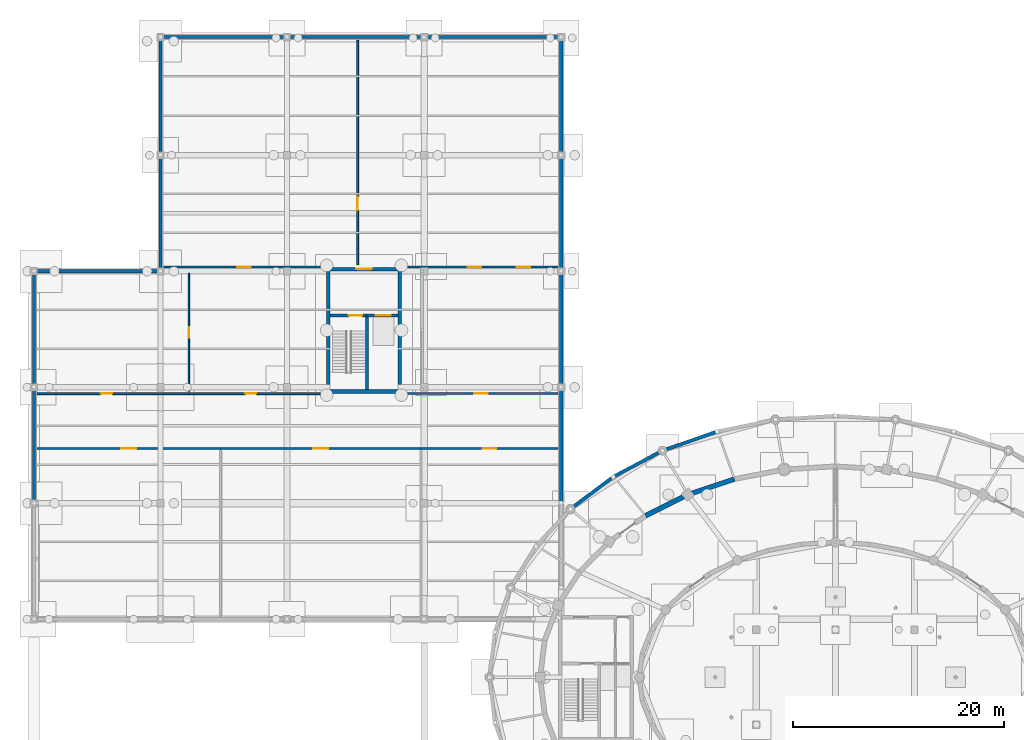
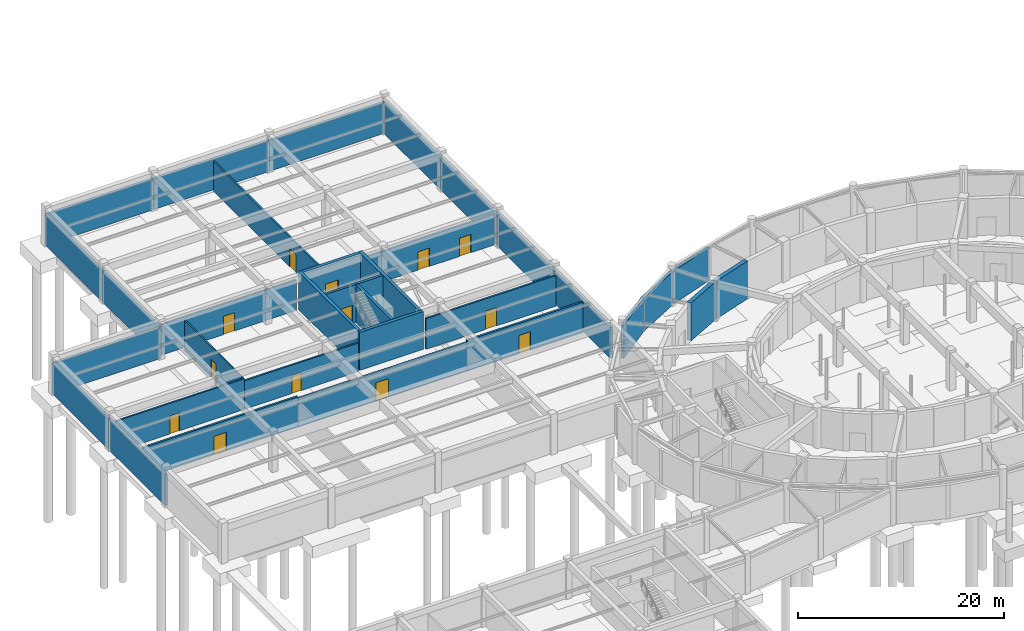
# One storey, part 23 of 42: 34 walls, 14 doors, 14 openings.
"""IFC4 building model written with IfcOpenShell, lengths in metres."""

from ifc_helpers import new_model, si_unit, direction, frame, frame_2d, origin, place, context, subcontext, project, spatial, rectangle, extrude, material, layer, layer_set, type_object, element, fill, save


model = new_model("IFC4")

# Units and contexts
model_context = context("Model", 3, precision=1e-05, world=origin(), true_north=direction((0.0, 1.0)))
body_context = subcontext(model_context, "Body", "Model", "MODEL_VIEW")
ifc_project = project(units=[si_unit("LENGTHUNIT", "METRE"), si_unit("AREAUNIT", "SQUARE_METRE"), si_unit("VOLUMEUNIT", "CUBIC_METRE"), si_unit("PLANEANGLEUNIT", "RADIAN"), si_unit("MASSUNIT", "GRAM", prefix="KILO")], contexts=[model_context])

# Site, building, storey
site_placement = place(None, origin())
site = spatial("IfcSite", under=ifc_project, at=site_placement, CompositionType="ELEMENT")
building_placement = place(site_placement, origin())
building = spatial("IfcBuilding", under=site, at=building_placement, Name="Tarnveldt Headland Concert Hall", CompositionType="ELEMENT")
storey_placement = place(building_placement, frame((0.0, 0.0, -4.800048828125)))
storey = spatial("IfcBuildingStorey", under=building, at=storey_placement, Name="B1", CompositionType="ELEMENT", Elevation=-4.800048828125)

# Wall
ifc_material_1 = material(Name="Concrete C40/50", Category="concrete")
ifc_layer_1 = layer(ifc_material_1, 0.35009765625, Name="Concrete C40/50", Category="concrete")
ifc_layer_set_1 = layer_set([ifc_layer_1], Name="Concrete C40/50")
wall_type_1 = type_object("IfcWallType", Name="WL-CR350", PredefinedType="SHEAR", material=ifc_layer_set_1)
wall_1_placement = place(storey_placement, frame((35.22509765625, 81.60009765625, 0.0), z_axis=(0.0, 0.0, 1.0), x_axis=(1.0, 0.0, 0.0)))
element("IfcWall", 1, at=wall_1_placement, inside=storey, type_object=wall_type_1, Name="Core C6 south shear wall B1", PredefinedType="SHEAR", context=body_context, shape_type="SweptSolid", body=[
    extrude(rectangle(XDim=7.14990234375, YDim=0.35009765625, at=frame_2d((3.574951171875, 0.0))), origin(), (0.0, 0.0, 1.0), 4.5),
])

# Wall, opening, door
wall_2_placement = place(storey_placement, frame((35.574951171875, 93.199951171875, 0.0), z_axis=(0.0, 0.0, 1.0), x_axis=(1.0, 0.0, 0.0)))
wall_2 = element("IfcWall", 2, at=wall_2_placement, inside=storey, type_object=wall_type_1, Name="Core C6 north shear wall B1", PredefinedType="SHEAR", context=body_context, shape_type="SweptSolid", body=[
    extrude(rectangle(XDim=6.449951171875, YDim=0.35009765625, at=frame_2d((3.22509765625, 0.0))), origin(), (0.0, 0.0, 1.0), 4.5),
])
opening_1_placement = place(wall_2_placement, frame((2.5, 0.0, 0.0)))
opening_1 = element("IfcOpeningElement", 3, at=opening_1_placement, cuts=wall_2, Name="Opening LBD-C6-B1", PredefinedType="OPENING", context=body_context, shape_type="SweptSolid", body=[
    extrude(rectangle(XDim=1.449951171875, YDim=2.199951171875, at=frame_2d((0.72509765625, 1.10009765625))), frame((0.0, 0.18505859375, 0.0), z_axis=(0.0, -1.0, 0.0), x_axis=(1.0, 0.0, 0.0)), (0.0, 0.0, 1.0), 0.3701171875),
])
ifc_material_2 = material(Name="Galvanised painted steel sheet", Category="steel")
door_type_1 = type_object("IfcDoorType", Name="DR-LB145", OperationType="NOTDEFINED", PredefinedType="DOOR", material=ifc_material_2)
door_1_placement = place(opening_1_placement, origin())
door_1 = element("IfcDoor", 4, at=door_1_placement, inside=storey, type_object=door_type_1, Name="Core C6 lobby entrance door B1", OperationType="SINGLE_SWING_RIGHT", OverallHeight=2.199951171875, OverallWidth=1.449951171875, PredefinedType="DOOR", context=body_context, shape_type="SweptSolid", body=[
    extrude(rectangle(XDim=1.449951171875, YDim=2.199951171875, at=frame_2d((0.72509765625, 1.10009765625))), frame((0.0, 0.02490234375, 0.0), z_axis=(0.0, -1.0, 0.0), x_axis=(1.0, 0.0, 0.0)), (0.0, 0.0, 1.0), 0.050048828125),
])
fill(opening_1, door_1)

# Walls
for number, where, z_axis, x_axis, name in (
    (5, (35.39990234375, 81.77490234375, 0.0), (0.0, 0.0, 1.0), (0.0, 1.0, 0.0), "Core C6 west shear wall B1"),
    (6, (42.199951171875, 81.77490234375, 0.0), (0.0, 0.0, 1.0), (0.0, 1.0, 0.0), "Core C6 east shear wall B1"),
):
    element("IfcWall", number, at=place(storey_placement, frame(where, z_axis=z_axis, x_axis=x_axis)), inside=storey, type_object=wall_type_1, Name=name, PredefinedType="SHEAR", context=body_context, shape_type="SweptSolid", body=[
        extrude(rectangle(XDim=11.60009765625, YDim=0.35009765625, at=frame_2d((5.800048828125, 0.0))), origin(), (0.0, 0.0, 1.0), 4.5),
    ])
ifc_material_3 = material(Name="Coral-toned precast concrete C40/50", Category="concrete")
ifc_layer_2 = layer(ifc_material_3, 0.300048828125, Name="Coral-toned precast concrete C40/50", Category="concrete")
ifc_layer_set_2 = layer_set([ifc_layer_2], Name="Coral-toned precast concrete C40/50")
wall_type_2 = type_object("IfcWallType", Name="WL-EX300", PredefinedType="SOLIDWALL", material=ifc_layer_set_2)
for number, where, z_axis, x_axis, name in (
    (7, (57.5, 81.97998046875, 0.0), (0.0, 0.0, 1.0), (0.0, -1.0, 0.0), "External precast wall B1-251"),
    (8, (57.5, 92.97998046875, 0.0), (0.0, 0.0, 1.0), (0.0, -1.0, 0.0), "External precast wall B1-252"),
    (9, (57.5, 103.97998046875, 0.0), (0.0, 0.0, 1.0), (0.0, -1.0, 0.0), "External precast wall B1-253"),
):
    element("IfcWall", number, at=place(storey_placement, frame(where, z_axis=z_axis, x_axis=x_axis)), inside=storey, type_object=wall_type_2, Name=name, PredefinedType="SOLIDWALL", context=body_context, shape_type="SweptSolid", body=[
        extrude(rectangle(XDim=10.9599609375, YDim=0.300048828125, at=frame_2d((5.47998046875, 0.0))), origin(), (0.0, 0.0, 1.0), 3.637939453125),
    ])
wall_3_placement = place(storey_placement, frame((57.5, 115.179931640625, 0.0), z_axis=(0.0, 0.0, 1.0), x_axis=(0.0, -1.0, 0.0)))
element("IfcWall", 10, at=wall_3_placement, inside=storey, type_object=wall_type_2, Name="External precast wall B1-254", PredefinedType="SOLIDWALL", context=body_context, shape_type="SweptSolid", body=[
    extrude(rectangle(XDim=11.159912109375, YDim=0.300048828125, at=frame_2d((5.580078125, 0.0))), origin(), (0.0, 0.0, 1.0), 3.637939453125),
])
for number, where, z_axis, x_axis, name in (
    (11, (44.52001953125, 115.199951171875, 0.0), (0.0, 0.0, 1.0), (1.0, 0.0, 0.0), "External precast wall B1-255"),
    (12, (31.52001953125, 115.199951171875, 0.0), (0.0, 0.0, 1.0), (1.0, 0.0, 0.0), "External precast wall B1-256"),
):
    element("IfcWall", number, at=place(storey_placement, frame(where, z_axis=z_axis, x_axis=x_axis)), inside=storey, type_object=wall_type_2, Name=name, PredefinedType="SOLIDWALL", context=body_context, shape_type="SweptSolid", body=[
        extrude(rectangle(XDim=12.9599609375, YDim=0.300048828125, at=frame_2d((6.47998046875, 0.0))), origin(), (0.0, 0.0, 1.0), 3.637939453125),
    ])
wall_4_placement = place(storey_placement, frame((19.52001953125, 115.199951171875, 0.0), z_axis=(0.0, 0.0, 1.0), x_axis=(1.0, 0.0, 0.0)))
element("IfcWall", 13, at=wall_4_placement, inside=storey, type_object=wall_type_2, Name="External precast wall B1-257", PredefinedType="SOLIDWALL", context=body_context, shape_type="SweptSolid", body=[
    extrude(rectangle(XDim=11.9599609375, YDim=0.300048828125, at=frame_2d((5.97998046875, 0.0))), origin(), (0.0, 0.0, 1.0), 3.637939453125),
])
wall_5_placement = place(storey_placement, frame((19.5, 104.02001953125, 0.0), z_axis=(0.0, 0.0, 1.0), x_axis=(0.0, 1.0, 0.0)))
element("IfcWall", 14, at=wall_5_placement, inside=storey, type_object=wall_type_2, Name="External precast wall B1-258", PredefinedType="SOLIDWALL", context=body_context, shape_type="SweptSolid", body=[
    extrude(rectangle(XDim=11.159912109375, YDim=0.300048828125, at=frame_2d((5.580078125, 0.0))), origin(), (0.0, 0.0, 1.0), 3.637939453125),
])
wall_6_placement = place(storey_placement, frame((19.5, 93.02001953125, 0.0), z_axis=(0.0, 0.0, 1.0), x_axis=(0.0, 1.0, 0.0)))
element("IfcWall", 15, at=wall_6_placement, inside=storey, type_object=wall_type_2, Name="External precast wall B1-259", PredefinedType="SOLIDWALL", context=body_context, shape_type="SweptSolid", body=[
    extrude(rectangle(XDim=10.9599609375, YDim=0.300048828125, at=frame_2d((5.47998046875, 0.0))), origin(), (0.0, 0.0, 1.0), 3.637939453125),
])
wall_7_placement = place(storey_placement, frame((7.52001953125, 93.0, 0.0), z_axis=(0.0, 0.0, 1.0), x_axis=(1.0, 0.0, 0.0)))
element("IfcWall", 16, at=wall_7_placement, inside=storey, type_object=wall_type_2, Name="External precast wall B1-260", PredefinedType="SOLIDWALL", context=body_context, shape_type="SweptSolid", body=[
    extrude(rectangle(XDim=11.9599609375, YDim=0.300048828125, at=frame_2d((5.97998046875, 0.0))), origin(), (0.0, 0.0, 1.0), 3.637939453125),
])
for number, where, z_axis, x_axis, name in (
    (17, (7.5, 82.02001953125, 0.0), (0.0, 0.0, 1.0), (0.0, 1.0, 0.0), "External precast wall B1-261"),
    (18, (7.5, 71.02001953125, 0.0), (0.0, 0.0, 1.0), (0.0, 1.0, 0.0), "External precast wall B1-262"),
):
    element("IfcWall", number, at=place(storey_placement, frame(where, z_axis=z_axis, x_axis=x_axis)), inside=storey, type_object=wall_type_2, Name=name, PredefinedType="SOLIDWALL", context=body_context, shape_type="SweptSolid", body=[
        extrude(rectangle(XDim=10.9599609375, YDim=0.300048828125, at=frame_2d((5.47998046875, 0.0))), origin(), (0.0, 0.0, 1.0), 3.637939453125),
    ])
ifc_layer_3 = layer(ifc_material_3, 0.324951171875, Name="Coral-toned precast concrete C40/50", Category="concrete")
ifc_layer_set_3 = layer_set([ifc_layer_3], Name="Coral-toned precast concrete C40/50")
wall_type_3 = type_object("IfcWallType", Name="WL-EX325", PredefinedType="SOLIDWALL", material=ifc_layer_set_3)
wall_8_placement = place(storey_placement, frame((67.118896484375, 75.984130859375, 0.0), z_axis=(0.0, 0.0, 1.0), x_axis=(0.943104319689, 0.332496980713, 0.0)))
element("IfcWall", 19, at=wall_8_placement, inside=storey, type_object=wall_type_3, Name="External precast wall B1-12", PredefinedType="SOLIDWALL", context=body_context, shape_type="SweptSolid", body=[
    extrude(rectangle(XDim=5.4541015625, YDim=0.324951171875, at=frame_2d((2.72705078125, 0.0))), origin(), (0.0, 0.0, 1.0), 3.949951171875),
])
wall_9_placement = place(storey_placement, frame((62.434326171875, 73.50732421875, 0.0), z_axis=(0.0, 0.0, 1.0), x_axis=(0.883786787155, 0.467889853332, 0.0)))
element("IfcWall", 20, at=wall_9_placement, inside=storey, type_object=wall_type_3, Name="External precast wall B1-13", PredefinedType="SOLIDWALL", context=body_context, shape_type="SweptSolid", body=[
    extrude(rectangle(XDim=5.259033203125, YDim=0.324951171875, at=frame_2d((2.62939453125, 0.0))), origin(), (0.0, 0.0, 1.0), 3.949951171875),
])
wall_10_placement = place(storey_placement, frame((58.3896484375, 70.453125, 0.0), z_axis=(0.0, 0.0, 1.0), x_axis=(0.797657622226, 0.60311053523, 0.0)))
element("IfcWall", 21, at=wall_10_placement, inside=storey, type_object=wall_type_3, Name="External precast wall B1-14", PredefinedType="SOLIDWALL", context=body_context, shape_type="SweptSolid", body=[
    extrude(rectangle(XDim=5.028564453125, YDim=0.324951171875, at=frame_2d((2.51416015625, 0.0))), origin(), (0.0, 0.0, 1.0), 3.949951171875),
])

# Wall, opening, door
ifc_material_4 = material(Name="Acoustic multi-layer gypsum and mineral-wool partition", Category="gypsum")
ifc_layer_4 = layer(ifc_material_4, 0.14990234375, Name="Acoustic multi-layer gypsum and mineral-wool partition", Category="gypsum")
ifc_layer_set_4 = layer_set([ifc_layer_4], Name="Acoustic multi-layer gypsum and mineral-wool partition")
wall_type_4 = type_object("IfcWallType", Name="WL-PT150", PredefinedType="PARTITIONING", material=ifc_layer_set_4)
wall_11_placement = place(storey_placement, frame((22.199951171875, 81.60009765625, 0.0), z_axis=(0.0, 0.0, 1.0), x_axis=(0.0, 1.0, 0.0)))
wall_11 = element("IfcWall", 22, at=wall_11_placement, inside=storey, type_object=wall_type_4, Name="Interior acoustic partition B1-55", PredefinedType="PARTITIONING", context=body_context, shape_type="SweptSolid", body=[
    extrude(rectangle(XDim=11.199951171875, YDim=0.14990234375, at=frame_2d((5.60009765625, 0.0))), origin(), (0.0, 0.0, 1.0), 3.64013671875),
])
opening_2_placement = place(wall_11_placement, frame((5.10009765625, 0.0, 0.0)))
opening_2 = element("IfcOpeningElement", 23, at=opening_2_placement, cuts=wall_11, Name="Opening D-B1-081", PredefinedType="OPENING", context=body_context, shape_type="SweptSolid", body=[
    extrude(rectangle(XDim=1.0, YDim=2.1201171875, at=frame_2d((0.5, 1.06005859375))), frame((0.0, 0.0849609375, 0.0), z_axis=(0.0, -1.0, 0.0), x_axis=(1.0, 0.0, 0.0)), (0.0, 0.0, 1.0), 0.169921875),
])
ifc_material_5 = material(Name="Treated East African mvule hardwood", Category="wood")
door_type_2 = type_object("IfcDoorType", Name="DR-RM100", OperationType="NOTDEFINED", PredefinedType="DOOR", material=ifc_material_5)
door_2_placement = place(opening_2_placement, origin())
door_2 = element("IfcDoor", 24, at=door_2_placement, inside=storey, type_object=door_type_2, Name="Interior room door B1-81", OperationType="SINGLE_SWING_LEFT", OverallHeight=2.1201171875, OverallWidth=1.0, PredefinedType="DOOR", context=body_context, shape_type="SweptSolid", body=[
    extrude(rectangle(XDim=1.0, YDim=2.1201171875, at=frame_2d((0.5, 1.06005859375))), frame((0.0, 0.02490234375, 0.0), z_axis=(0.0, -1.0, 0.0), x_axis=(1.0, 0.0, 0.0)), (0.0, 0.0, 1.0), 0.050048828125),
])
fill(opening_2, door_2)

ifc_layer_5 = layer(ifc_material_4, 0.18505859375, Name="Acoustic multi-layer gypsum and mineral-wool partition", Category="gypsum")
ifc_layer_set_5 = layer_set([ifc_layer_5], Name="Acoustic multi-layer gypsum and mineral-wool partition")
wall_type_5 = type_object("IfcWallType", Name="WL-PT185", PredefinedType="PARTITIONING", material=ifc_layer_set_5)
wall_12_placement = place(storey_placement, frame((7.800048828125, 81.39990234375, 0.0), z_axis=(0.0, 0.0, 1.0), x_axis=(1.0, 0.0, 0.0)))
wall_12 = element("IfcWall", 25, at=wall_12_placement, inside=storey, type_object=wall_type_5, Name="Interior acoustic partition B1-52", PredefinedType="PARTITIONING", context=body_context, shape_type="SweptSolid", body=[
    extrude(rectangle(XDim=14.39990234375, YDim=0.18505859375, at=frame_2d((7.199951171875, 0.0))), origin(), (0.0, 0.0, 1.0), 3.64013671875),
])
opening_3_placement = place(wall_12_placement, frame((6.02099609375, 0.0, 0.0)))
opening_3 = element("IfcOpeningElement", 26, at=opening_3_placement, cuts=wall_12, Name="Opening D-B1-078", PredefinedType="OPENING", context=body_context, shape_type="SweptSolid", body=[
    extrude(rectangle(XDim=1.10009765625, YDim=2.14990234375, at=frame_2d((0.550048828125, 1.074951171875))), frame((0.0, 0.1025390625, 0.0), z_axis=(0.0, -1.0, 0.0), x_axis=(1.0, 0.0, 0.0)), (0.0, 0.0, 1.0), 0.205078125),
])
door_type_3 = type_object("IfcDoorType", Name="DR-RM110", OperationType="NOTDEFINED", PredefinedType="DOOR", material=ifc_material_5)
door_3_placement = place(opening_3_placement, origin())
door_3 = element("IfcDoor", 27, at=door_3_placement, inside=storey, type_object=door_type_3, Name="Interior room door B1-78", OperationType="SINGLE_SWING_RIGHT", OverallHeight=2.14990234375, OverallWidth=1.10009765625, PredefinedType="DOOR", context=body_context, shape_type="SweptSolid", body=[
    extrude(rectangle(XDim=1.10009765625, YDim=2.14990234375, at=frame_2d((0.550048828125, 1.074951171875))), frame((0.0, 0.02490234375, 0.0), z_axis=(0.0, -1.0, 0.0), x_axis=(1.0, 0.0, 0.0)), (0.0, 0.0, 1.0), 0.050048828125),
])
fill(opening_3, door_3)

wall_13_placement = place(storey_placement, frame((22.199951171875, 81.39990234375, 0.0), z_axis=(0.0, 0.0, 1.0), x_axis=(1.0, 0.0, 0.0)))
wall_13 = element("IfcWall", 28, at=wall_13_placement, inside=storey, type_object=wall_type_5, Name="Interior acoustic partition B1-53", PredefinedType="PARTITIONING", context=body_context, shape_type="SweptSolid", body=[
    extrude(rectangle(XDim=12.800048828125, YDim=0.18505859375, at=frame_2d((6.39990234375, 0.0))), origin(), (0.0, 0.0, 1.0), 3.39013671875),
])
opening_4_placement = place(wall_13_placement, frame((5.323486328125, 0.0, 0.0)))
opening_4 = element("IfcOpeningElement", 29, at=opening_4_placement, cuts=wall_13, Name="Opening D-B1-079", PredefinedType="OPENING", context=body_context, shape_type="SweptSolid", body=[
    extrude(rectangle(XDim=1.050048828125, YDim=2.14990234375, at=frame_2d((0.52490234375, 1.074951171875))), frame((0.0, 0.1025390625, 0.0), z_axis=(0.0, -1.0, 0.0), x_axis=(1.0, 0.0, 0.0)), (0.0, 0.0, 1.0), 0.205078125),
])
door_type_4 = type_object("IfcDoorType", Name="DR-RM105", OperationType="NOTDEFINED", PredefinedType="DOOR", material=ifc_material_5)
door_4_placement = place(opening_4_placement, origin())
door_4 = element("IfcDoor", 30, at=door_4_placement, inside=storey, type_object=door_type_4, Name="Interior room door B1-79", OperationType="SINGLE_SWING_LEFT", OverallHeight=2.14990234375, OverallWidth=1.050048828125, PredefinedType="DOOR", context=body_context, shape_type="SweptSolid", body=[
    extrude(rectangle(XDim=1.050048828125, YDim=2.14990234375, at=frame_2d((0.52490234375, 1.074951171875))), frame((0.0, 0.02490234375, 0.0), z_axis=(0.0, -1.0, 0.0), x_axis=(1.0, 0.0, 0.0)), (0.0, 0.0, 1.0), 0.050048828125),
])
fill(opening_4, door_4)

wall_14_placement = place(storey_placement, frame((38.199951171875, 93.60009765625, 0.0), z_axis=(0.0, 0.0, 1.0), x_axis=(0.0, 1.0, 0.0)))
wall_14 = element("IfcWall", 31, at=wall_14_placement, inside=storey, type_object=wall_type_5, Name="Interior acoustic partition B1-58", PredefinedType="PARTITIONING", context=body_context, shape_type="SweptSolid", body=[
    extrude(rectangle(XDim=21.2998046875, YDim=0.18505859375, at=frame_2d((10.64990234375, 0.0))), origin(), (0.0, 0.0, 1.0), 3.5400390625),
])
opening_5_placement = place(wall_14_placement, frame((5.18505859375, 0.0, 0.0)))
opening_5 = element("IfcOpeningElement", 32, at=opening_5_placement, cuts=wall_14, Name="Opening D-B1-085", PredefinedType="OPENING", context=body_context, shape_type="SweptSolid", body=[
    extrude(rectangle(XDim=1.280029296875, YDim=2.179931640625, at=frame_2d((0.64013671875, 1.08984375))), frame((0.0, 0.1025390625, 0.0), z_axis=(0.0, -1.0, 0.0), x_axis=(1.0, 0.0, 0.0)), (0.0, 0.0, 1.0), 0.205078125),
])
door_type_5 = type_object("IfcDoorType", Name="DR-PL128", OperationType="NOTDEFINED", PredefinedType="DOOR", material=ifc_material_2)
door_5_placement = place(opening_5_placement, origin())
door_5 = element("IfcDoor", 33, at=door_5_placement, inside=storey, type_object=door_type_5, Name="Interior room door B1-85", OperationType="SINGLE_SWING_LEFT", OverallHeight=2.179931640625, OverallWidth=1.280029296875, PredefinedType="DOOR", context=body_context, shape_type="SweptSolid", body=[
    extrude(rectangle(XDim=1.280029296875, YDim=2.179931640625, at=frame_2d((0.64013671875, 1.08984375))), frame((0.0, 0.02490234375, 0.0), z_axis=(0.0, -1.0, 0.0), x_axis=(1.0, 0.0, 0.0)), (0.0, 0.0, 1.0), 0.050048828125),
])
fill(opening_5, door_5)

ifc_layer_6 = layer(ifc_material_4, 0.199951171875, Name="Acoustic multi-layer gypsum and mineral-wool partition", Category="gypsum")
ifc_layer_set_6 = layer_set([ifc_layer_6], Name="Acoustic multi-layer gypsum and mineral-wool partition")
wall_type_6 = type_object("IfcWallType", Name="WL-PT200", PredefinedType="PARTITIONING", material=ifc_layer_set_6)
wall_15_placement = place(storey_placement, frame((42.60009765625, 81.39990234375, 0.0), z_axis=(0.0, 0.0, 1.0), x_axis=(1.0, 0.0, 0.0)))
wall_15 = element("IfcWall", 34, at=wall_15_placement, inside=storey, type_object=wall_type_6, Name="Interior acoustic partition B1-54", PredefinedType="PARTITIONING", context=body_context, shape_type="SweptSolid", body=[
    extrude(rectangle(XDim=14.599853515625, YDim=0.199951171875, at=frame_2d((7.2998046875, 0.0))), origin(), (0.0, 0.0, 1.0), 3.64013671875),
])
opening_6_placement = place(wall_15_placement, frame((6.659912109375, 0.0, 0.0)))
opening_6 = element("IfcOpeningElement", 35, at=opening_6_placement, cuts=wall_15, Name="Opening D-B1-080", PredefinedType="OPENING", context=body_context, shape_type="SweptSolid", body=[
    extrude(rectangle(XDim=1.280029296875, YDim=2.179931640625, at=frame_2d((0.64013671875, 1.08984375))), frame((0.0, 0.10986328125, 0.0), z_axis=(0.0, -1.0, 0.0), x_axis=(1.0, 0.0, 0.0)), (0.0, 0.0, 1.0), 0.219970703125),
])
door_6_placement = place(opening_6_placement, origin())
door_6 = element("IfcDoor", 36, at=door_6_placement, inside=storey, type_object=door_type_5, Name="Interior room door B1-80", OperationType="SINGLE_SWING_RIGHT", OverallHeight=2.179931640625, OverallWidth=1.280029296875, PredefinedType="DOOR", context=body_context, shape_type="SweptSolid", body=[
    extrude(rectangle(XDim=1.280029296875, YDim=2.179931640625, at=frame_2d((0.64013671875, 1.08984375))), frame((0.0, 0.02490234375, 0.0), z_axis=(0.0, -1.0, 0.0), x_axis=(1.0, 0.0, 0.0)), (0.0, 0.0, 1.0), 0.050048828125),
])
fill(opening_6, door_6)

# Wall, openings, doors
wall_16_placement = place(storey_placement, frame((42.60009765625, 93.39990234375, 0.0), z_axis=(0.0, 0.0, 1.0), x_axis=(1.0, 0.0, 0.0)))
wall_16 = element("IfcWall", 37, at=wall_16_placement, inside=storey, type_object=wall_type_6, Name="Interior acoustic partition B1-56", PredefinedType="PARTITIONING", context=body_context, shape_type="SweptSolid", body=[
    extrude(rectangle(XDim=14.599853515625, YDim=0.199951171875, at=frame_2d((7.2998046875, 0.0))), origin(), (0.0, 0.0, 1.0), 3.64013671875),
])
opening_7_placement = place(wall_16_placement, frame((6.030029296875, 0.0, 0.0)))
opening_7 = element("IfcOpeningElement", 38, at=opening_7_placement, cuts=wall_16, Name="Opening D-B1-082", PredefinedType="OPENING", context=body_context, shape_type="SweptSolid", body=[
    extrude(rectangle(XDim=1.280029296875, YDim=2.179931640625, at=frame_2d((0.64013671875, 1.08984375))), frame((0.0, 0.10986328125, 0.0), z_axis=(0.0, -1.0, 0.0), x_axis=(1.0, 0.0, 0.0)), (0.0, 0.0, 1.0), 0.219970703125),
])
opening_8_placement = place(wall_16_placement, frame((10.69189453125, 0.0, 0.0)))
opening_8 = element("IfcOpeningElement", 39, at=opening_8_placement, cuts=wall_16, Name="Opening D-B1-083", PredefinedType="OPENING", context=body_context, shape_type="SweptSolid", body=[
    extrude(rectangle(XDim=1.280029296875, YDim=2.179931640625, at=frame_2d((0.64013671875, 1.08984375))), frame((0.0, 0.10986328125, 0.0), z_axis=(0.0, -1.0, 0.0), x_axis=(1.0, 0.0, 0.0)), (0.0, 0.0, 1.0), 0.219970703125),
])
door_7_placement = place(opening_7_placement, origin())
door_7 = element("IfcDoor", 40, at=door_7_placement, inside=storey, type_object=door_type_5, Name="Interior room door B1-82", OperationType="SINGLE_SWING_RIGHT", OverallHeight=2.179931640625, OverallWidth=1.280029296875, PredefinedType="DOOR", context=body_context, shape_type="SweptSolid", body=[
    extrude(rectangle(XDim=1.280029296875, YDim=2.179931640625, at=frame_2d((0.64013671875, 1.08984375))), frame((0.0, 0.02490234375, 0.0), z_axis=(0.0, -1.0, 0.0), x_axis=(1.0, 0.0, 0.0)), (0.0, 0.0, 1.0), 0.050048828125),
])
fill(opening_7, door_7)
door_8_placement = place(opening_8_placement, origin())
door_8 = element("IfcDoor", 41, at=door_8_placement, inside=storey, type_object=door_type_5, Name="Interior room door B1-83", OperationType="SINGLE_SWING_LEFT", OverallHeight=2.179931640625, OverallWidth=1.280029296875, PredefinedType="DOOR", context=body_context, shape_type="SweptSolid", body=[
    extrude(rectangle(XDim=1.280029296875, YDim=2.179931640625, at=frame_2d((0.64013671875, 1.08984375))), frame((0.0, 0.02490234375, 0.0), z_axis=(0.0, -1.0, 0.0), x_axis=(1.0, 0.0, 0.0)), (0.0, 0.0, 1.0), 0.050048828125),
])
fill(opening_8, door_8)

# Wall, opening, door
wall_17_placement = place(storey_placement, frame((19.800048828125, 93.39990234375, 0.0), z_axis=(0.0, 0.0, 1.0), x_axis=(1.0, 0.0, 0.0)))
wall_17 = element("IfcWall", 42, at=wall_17_placement, inside=storey, type_object=wall_type_6, Name="Interior acoustic partition B1-57", PredefinedType="PARTITIONING", context=body_context, shape_type="SweptSolid", body=[
    extrude(rectangle(XDim=15.199951171875, YDim=0.199951171875, at=frame_2d((7.60009765625, 0.0))), origin(), (0.0, 0.0, 1.0), 3.64013671875),
])
opening_9_placement = place(wall_17_placement, frame((6.9599609375, 0.0, 0.0)))
opening_9 = element("IfcOpeningElement", 43, at=opening_9_placement, cuts=wall_17, Name="Opening D-B1-084", PredefinedType="OPENING", context=body_context, shape_type="SweptSolid", body=[
    extrude(rectangle(XDim=1.280029296875, YDim=2.179931640625, at=frame_2d((0.64013671875, 1.08984375))), frame((0.0, 0.10986328125, 0.0), z_axis=(0.0, -1.0, 0.0), x_axis=(1.0, 0.0, 0.0)), (0.0, 0.0, 1.0), 0.219970703125),
])
door_9_placement = place(opening_9_placement, origin())
door_9 = element("IfcDoor", 44, at=door_9_placement, inside=storey, type_object=door_type_5, Name="Interior room door B1-84", OperationType="SINGLE_SWING_RIGHT", OverallHeight=2.179931640625, OverallWidth=1.280029296875, PredefinedType="DOOR", context=body_context, shape_type="SweptSolid", body=[
    extrude(rectangle(XDim=1.280029296875, YDim=2.179931640625, at=frame_2d((0.64013671875, 1.08984375))), frame((0.0, 0.02490234375, 0.0), z_axis=(0.0, -1.0, 0.0), x_axis=(1.0, 0.0, 0.0)), (0.0, 0.0, 1.0), 0.050048828125),
])
fill(opening_9, door_9)

ifc_layer_7 = layer(ifc_material_4, 0.215087890625, Name="Acoustic multi-layer gypsum and mineral-wool partition", Category="gypsum")
ifc_layer_set_7 = layer_set([ifc_layer_7], Name="Acoustic multi-layer gypsum and mineral-wool partition")
wall_type_7 = type_object("IfcWallType", Name="WL-PT215", PredefinedType="PARTITIONING", material=ifc_layer_set_7)
wall_18_placement = place(storey_placement, frame((7.800048828125, 76.199951171875, 0.0), z_axis=(0.0, 0.0, 1.0), x_axis=(1.0, 0.0, 0.0)))
wall_18 = element("IfcWall", 45, at=wall_18_placement, inside=storey, type_object=wall_type_7, Name="Interior acoustic partition B1-47", PredefinedType="PARTITIONING", context=body_context, shape_type="SweptSolid", body=[
    extrude(rectangle(XDim=17.39990234375, YDim=0.215087890625, at=frame_2d((8.699951171875, 0.0))), origin(), (0.0, 0.0, 1.0), 3.64013671875),
])
opening_10_placement = place(wall_18_placement, frame((8.0, 0.0, 0.0)))
opening_10 = element("IfcOpeningElement", 46, at=opening_10_placement, cuts=wall_18, Name="Opening D-B1-075", PredefinedType="OPENING", context=body_context, shape_type="SweptSolid", body=[
    extrude(rectangle(XDim=1.39990234375, YDim=2.199951171875, at=frame_2d((0.699951171875, 1.10009765625))), frame((0.0, 0.117431640625, 0.0), z_axis=(0.0, -1.0, 0.0), x_axis=(1.0, 0.0, 0.0)), (0.0, 0.0, 1.0), 0.235107421875),
])
door_type_6 = type_object("IfcDoorType", Name="DR-PL140", OperationType="NOTDEFINED", PredefinedType="DOOR", material=ifc_material_2)
door_10_placement = place(opening_10_placement, origin())
door_10 = element("IfcDoor", 47, at=door_10_placement, inside=storey, type_object=door_type_6, Name="Interior room door B1-75", OperationType="SINGLE_SWING_LEFT", OverallHeight=2.199951171875, OverallWidth=1.39990234375, PredefinedType="DOOR", context=body_context, shape_type="SweptSolid", body=[
    extrude(rectangle(XDim=1.39990234375, YDim=2.199951171875, at=frame_2d((0.699951171875, 1.10009765625))), frame((0.0, 0.02490234375, 0.0), z_axis=(0.0, -1.0, 0.0), x_axis=(1.0, 0.0, 0.0)), (0.0, 0.0, 1.0), 0.050048828125),
])
fill(opening_10, door_10)

wall_19_placement = place(storey_placement, frame((25.199951171875, 76.199951171875, 0.0), z_axis=(0.0, 0.0, 1.0), x_axis=(1.0, 0.0, 0.0)))
wall_19 = element("IfcWall", 48, at=wall_19_placement, inside=storey, type_object=wall_type_7, Name="Interior acoustic partition B1-48", PredefinedType="PARTITIONING", context=body_context, shape_type="SweptSolid", body=[
    extrude(rectangle(XDim=19.0, YDim=0.215087890625, at=frame_2d((9.5, 0.0))), origin(), (0.0, 0.0, 1.0), 3.39013671875),
])
opening_11_placement = place(wall_19_placement, frame((8.800048828125, 0.0, 0.0)))
opening_11 = element("IfcOpeningElement", 49, at=opening_11_placement, cuts=wall_19, Name="Opening D-B1-076", PredefinedType="OPENING", context=body_context, shape_type="SweptSolid", body=[
    extrude(rectangle(XDim=1.39990234375, YDim=2.199951171875, at=frame_2d((0.699951171875, 1.10009765625))), frame((0.0, 0.117431640625, 0.0), z_axis=(0.0, -1.0, 0.0), x_axis=(1.0, 0.0, 0.0)), (0.0, 0.0, 1.0), 0.235107421875),
])
door_11_placement = place(opening_11_placement, origin())
door_11 = element("IfcDoor", 50, at=door_11_placement, inside=storey, type_object=door_type_6, Name="Interior room door B1-76", OperationType="SINGLE_SWING_RIGHT", OverallHeight=2.199951171875, OverallWidth=1.39990234375, PredefinedType="DOOR", context=body_context, shape_type="SweptSolid", body=[
    extrude(rectangle(XDim=1.39990234375, YDim=2.199951171875, at=frame_2d((0.699951171875, 1.10009765625))), frame((0.0, 0.02490234375, 0.0), z_axis=(0.0, -1.0, 0.0), x_axis=(1.0, 0.0, 0.0)), (0.0, 0.0, 1.0), 0.050048828125),
])
fill(opening_11, door_11)

wall_20_placement = place(storey_placement, frame((44.199951171875, 76.199951171875, 0.0), z_axis=(0.0, 0.0, 1.0), x_axis=(1.0, 0.0, 0.0)))
wall_20 = element("IfcWall", 51, at=wall_20_placement, inside=storey, type_object=wall_type_7, Name="Interior acoustic partition B1-49", PredefinedType="PARTITIONING", context=body_context, shape_type="SweptSolid", body=[
    extrude(rectangle(XDim=13.0, YDim=0.215087890625, at=frame_2d((6.5, 0.0))), origin(), (0.0, 0.0, 1.0), 3.64013671875),
])
opening_12_placement = place(wall_20_placement, frame((5.860107421875, 0.0, 0.0)))
opening_12 = element("IfcOpeningElement", 52, at=opening_12_placement, cuts=wall_20, Name="Opening D-B1-077", PredefinedType="OPENING", context=body_context, shape_type="SweptSolid", body=[
    extrude(rectangle(XDim=1.280029296875, YDim=2.179931640625, at=frame_2d((0.64013671875, 1.08984375))), frame((0.0, 0.117431640625, 0.0), z_axis=(0.0, -1.0, 0.0), x_axis=(1.0, 0.0, 0.0)), (0.0, 0.0, 1.0), 0.235107421875),
])
door_12_placement = place(opening_12_placement, origin())
door_12 = element("IfcDoor", 53, at=door_12_placement, inside=storey, type_object=door_type_5, Name="Interior room door B1-77", OperationType="SINGLE_SWING_LEFT", OverallHeight=2.179931640625, OverallWidth=1.280029296875, PredefinedType="DOOR", context=body_context, shape_type="SweptSolid", body=[
    extrude(rectangle(XDim=1.280029296875, YDim=2.179931640625, at=frame_2d((0.64013671875, 1.08984375))), frame((0.0, 0.02490234375, 0.0), z_axis=(0.0, -1.0, 0.0), x_axis=(1.0, 0.0, 0.0)), (0.0, 0.0, 1.0), 0.050048828125),
])
fill(opening_12, door_12)

# Walls
ifc_layer_8 = layer(ifc_material_1, 0.449951171875, Name="Concrete C40/50", Category="concrete")
ifc_layer_set_8 = layer_set([ifc_layer_8], Name="Concrete C40/50")
wall_type_8 = type_object("IfcWallType", Name="WL-RT450", PredefinedType="SHEAR", material=ifc_layer_set_8)
wall_21_placement = place(storey_placement, frame((73.92333984375, 73.2939453125, 0.0), z_axis=(0.0, 0.0, 1.0), x_axis=(-0.948751350732, -0.316023534699, 0.0)))
element("IfcWall", 54, at=wall_21_placement, inside=storey, type_object=wall_type_8, Name="Symphony drum shear wall B1-12", PredefinedType="SHEAR", context=body_context, shape_type="SweptSolid", body=[
    extrude(rectangle(XDim=4.662353515625, YDim=0.449951171875, at=frame_2d((2.3310546875, 0.0))), origin(), (0.0, 0.0, 1.0), 4.5),
])
wall_22_placement = place(storey_placement, frame((69.5, 71.820556640625, 0.0), z_axis=(0.0, 0.0, 1.0), x_axis=(-0.894361644392, -0.447344664705, 0.0)))
element("IfcWall", 55, at=wall_22_placement, inside=storey, type_object=wall_type_8, Name="Symphony drum shear wall B1-13", PredefinedType="SHEAR", context=body_context, shape_type="SweptSolid", body=[
    extrude(rectangle(XDim=4.47021484375, YDim=0.449951171875, at=frame_2d((2.235107421875, 0.0))), origin(), (0.0, 0.0, 1.0), 4.5),
])
ifc_layer_9 = layer(ifc_material_1, 0.27490234375, Name="Concrete C40/50", Category="concrete")
ifc_layer_set_9 = layer_set([ifc_layer_9], Name="Concrete C40/50")
wall_type_9 = type_object("IfcWallType", Name="WL-SH275", PredefinedType="SHEAR", material=ifc_layer_set_9)
wall_23_placement = place(storey_placement, frame((39.10009765625, 81.77490234375, 0.0), z_axis=(0.0, 0.0, 1.0), x_axis=(0.0, 1.0, 0.0)))
element("IfcWall", 56, at=wall_23_placement, inside=storey, type_object=wall_type_9, Name="Core C6 shaft divider wall B1", PredefinedType="SHEAR", context=body_context, shape_type="SweptSolid", body=[
    extrude(rectangle(XDim=6.8876953125, YDim=0.27490234375, at=frame_2d((3.44384765625, 0.0))), origin(), (0.0, 0.0, 1.0), 4.5),
])

# Wall, opening, door
wall_24_placement = place(storey_placement, frame((35.574951171875, 88.800048828125, 0.0), z_axis=(0.0, 0.0, 1.0), x_axis=(1.0, 0.0, 0.0)))
wall_24 = element("IfcWall", 57, at=wall_24_placement, inside=storey, type_object=wall_type_9, Name="Core C6 stair enclosure wall B1", PredefinedType="SHEAR", context=body_context, shape_type="SweptSolid", body=[
    extrude(rectangle(XDim=3.525146484375, YDim=0.27490234375, at=frame_2d((1.7626953125, 0.0))), origin(), (0.0, 0.0, 1.0), 4.5),
])
opening_13_placement = place(wall_24_placement, frame((1.784912109375, 0.0, 0.0)))
opening_13 = element("IfcOpeningElement", 58, at=opening_13_placement, cuts=wall_24, Name="Opening SD-C6-B1", PredefinedType="OPENING", context=body_context, shape_type="SweptSolid", body=[
    extrude(rectangle(XDim=1.25, YDim=2.14990234375, at=frame_2d((0.625, 1.074951171875))), frame((0.0, 0.1474609375, 0.0), z_axis=(0.0, -1.0, 0.0), x_axis=(1.0, 0.0, 0.0)), (0.0, 0.0, 1.0), 0.294921875),
])
door_type_7 = type_object("IfcDoorType", Name="DR-ST125", OperationType="NOTDEFINED", PredefinedType="DOOR", material=ifc_material_2)
door_13_placement = place(opening_13_placement, origin())
door_13 = element("IfcDoor", 59, at=door_13_placement, inside=storey, type_object=door_type_7, Name="Core C6 stair fire door B1", OperationType="SINGLE_SWING_RIGHT", OverallHeight=2.14990234375, OverallWidth=1.25, PredefinedType="DOOR", context=body_context, shape_type="SweptSolid", body=[
    extrude(rectangle(XDim=1.25, YDim=2.14990234375, at=frame_2d((0.625, 1.074951171875))), frame((0.0, 0.02490234375, 0.0), z_axis=(0.0, -1.0, 0.0), x_axis=(1.0, 0.0, 0.0)), (0.0, 0.0, 1.0), 0.050048828125),
])
fill(opening_13, door_13)

wall_25_placement = place(storey_placement, frame((39.10009765625, 88.800048828125, 0.0), z_axis=(0.0, 0.0, 1.0), x_axis=(1.0, 0.0, 0.0)))
wall_25 = element("IfcWall", 60, at=wall_25_placement, inside=storey, type_object=wall_type_9, Name="Core C6 lift shaft front wall B1", PredefinedType="SHEAR", context=body_context, shape_type="SweptSolid", body=[
    extrude(rectangle(XDim=2.9248046875, YDim=0.27490234375, at=frame_2d((1.46240234375, 0.0))), origin(), (0.0, 0.0, 1.0), 4.5),
])
opening_14_placement = place(wall_25_placement, frame((0.83251953125, 0.0, 0.0)))
opening_14 = element("IfcOpeningElement", 61, at=opening_14_placement, cuts=wall_25, Name="Opening LD-LG-01-B1", PredefinedType="OPENING", context=body_context, shape_type="SweptSolid", body=[
    extrude(rectangle(XDim=1.39990234375, YDim=2.199951171875, at=frame_2d((0.699951171875, 1.10009765625))), frame((0.0, 0.1474609375, 0.0), z_axis=(0.0, -1.0, 0.0), x_axis=(1.0, 0.0, 0.0)), (0.0, 0.0, 1.0), 0.294921875),
])
door_type_8 = type_object("IfcDoorType", Name="LD-140", OperationType="NOTDEFINED", PredefinedType="DOOR", material=ifc_material_2)
door_14_placement = place(opening_14_placement, origin())
door_14 = element("IfcDoor", 62, at=door_14_placement, inside=storey, type_object=door_type_8, Name="Lift LG-01 sliding landing door B1", OperationType="DOUBLE_DOOR_SLIDING", OverallHeight=2.199951171875, OverallWidth=1.39990234375, PredefinedType="DOOR", context=body_context, shape_type="SweptSolid", body=[
    extrude(rectangle(XDim=1.39990234375, YDim=2.199951171875, at=frame_2d((0.699951171875, 1.10009765625))), frame((0.0, 0.02490234375, 0.0), z_axis=(0.0, -1.0, 0.0), x_axis=(1.0, 0.0, 0.0)), (0.0, 0.0, 1.0), 0.050048828125),
])
fill(opening_14, door_14)

save(model, "model.ifc")
